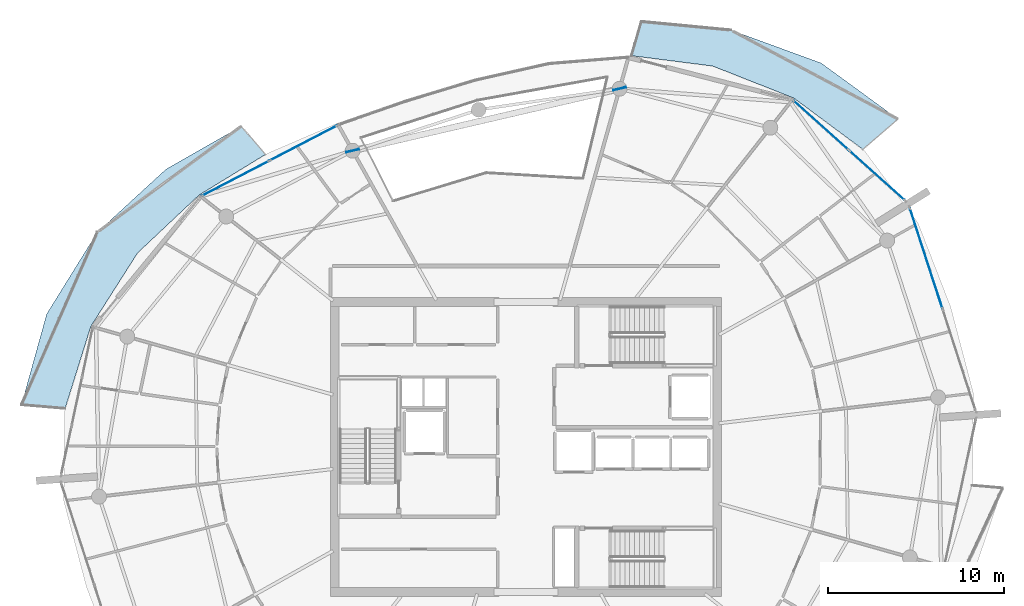
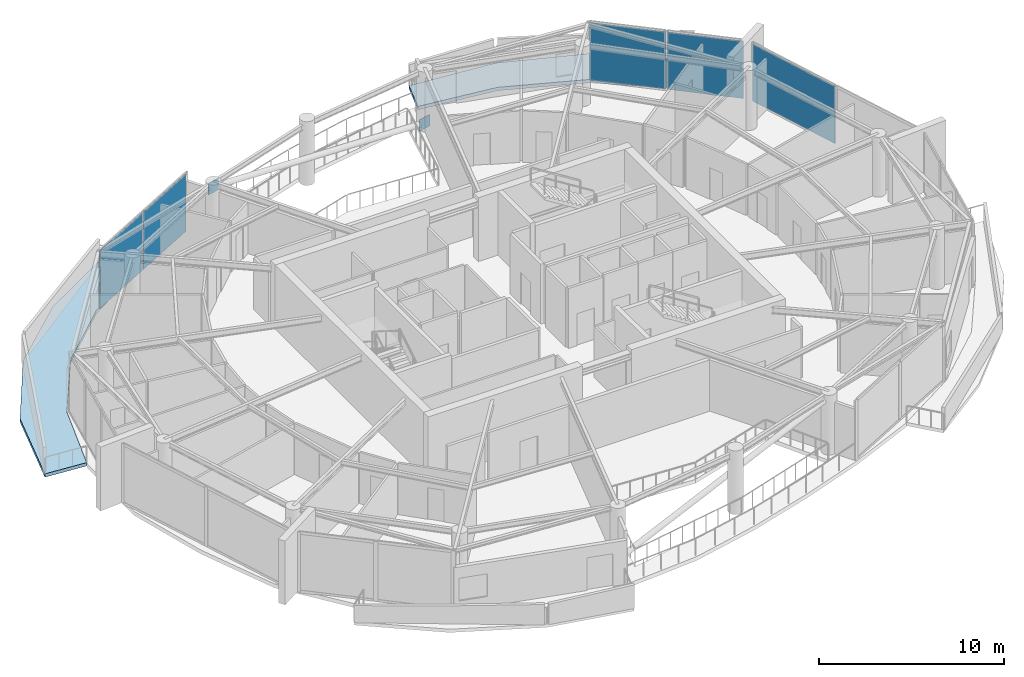
# One storey, part 12 of 22: 7 plates, 2 slabs, 3 elements without a shape of their own.
"""IFC4 building model written with IfcOpenShell, lengths in metres."""

from ifc_helpers import new_model, si_unit, direction, frame, origin, origin_2d, place, context, subcontext, project, spatial, polyline, rectangle, outline, extrude, material, layer, layer_set, type_object, element, aggregate, save


model = new_model("IFC4")

# Units and contexts
model_context = context("Model", 3, precision=1e-05, world=origin(), true_north=direction((0.0, 1.0)))
body_context = subcontext(model_context, "Body", "Model", "MODEL_VIEW")
ifc_project = project(units=[si_unit("LENGTHUNIT", "METRE"), si_unit("AREAUNIT", "SQUARE_METRE"), si_unit("VOLUMEUNIT", "CUBIC_METRE"), si_unit("PLANEANGLEUNIT", "RADIAN"), si_unit("MASSUNIT", "GRAM", prefix="KILO")], contexts=[model_context])

# Site, building, storey
site_placement = place(None, origin())
site = spatial("IfcSite", under=ifc_project, at=site_placement, CompositionType="ELEMENT")
building_placement = place(site_placement, origin())
building = spatial("IfcBuilding", under=site, at=building_placement, Name="Kazma Halo Residences", CompositionType="ELEMENT")
storey_placement = place(building_placement, frame((0.0, 0.0, 326.300048828125)))
storey = spatial("IfcBuildingStorey", under=building, at=storey_placement, Name="L82", CompositionType="ELEMENT", Elevation=326.300048828125)

# Curtain wall, plates
ifc_material_1 = material(Name="Aluminium AW-6063 T6 and Triple-Silver Low-E Glass", Category="aluminium")
ifc_layer_1 = layer(ifc_material_1, 0.239990234375)
ifc_layer_set_1 = layer_set([ifc_layer_1], Name="Aluminium AW-6063 T6 and Triple-Silver Low-E Glass")
curtain_wall_type = type_object("IfcCurtainWallType", Name="CW-SYS-6", PredefinedType="NOTDEFINED", material=ifc_layer_set_1)
curtain_wall_1_placement = place(storey_placement, origin())
curtain_wall_1 = element("IfcCurtainWall", 1, at=curtain_wall_1_placement, inside=storey, type_object=curtain_wall_type, Name="L82 unitised curtain wall B01", PredefinedType="NOTDEFINED")
ifc_material_2 = material(Name="Clear Triple-Silver Low-E Glass IGU", Category="glass")
ifc_layer_2 = layer(ifc_material_2, 0.035888671875)
ifc_layer_set_2 = layer_set([ifc_layer_2], Name="Clear Triple-Silver Low-E Glass IGU")
plate_type_1 = type_object("IfcPlateType", Name="CW-SYS-6-PNL", PredefinedType="CURTAIN_PANEL", material=ifc_layer_set_2)
plate_1_placement = place(storey_placement, frame((68.37646484375, 57.44189453125, 0.080078125), z_axis=(0.0, 0.0, 1.0), x_axis=(-0.744378829791, 0.667757559118, 0.0)))
plate_1 = element("IfcPlate", 2, at=plate_1_placement, type_object=plate_type_1, Name="CWS-6 panel 1.1", PredefinedType="CURTAIN_PANEL", context=body_context, shape_type="SweptSolid", body=[
    extrude(rectangle(XDim=4.19677734375, YDim=0.035888671875, at=origin_2d()), origin(), (0.0, 0.0, 1.0), 3.780029296875),
])
plate_2_placement = place(storey_placement, frame((65.19287109375, 60.297607421875, 0.080078125), z_axis=(0.0, 0.0, 1.0), x_axis=(-0.744378829791, 0.667757559118, 0.0)))
plate_2 = element("IfcPlate", 3, at=plate_2_placement, type_object=plate_type_1, Name="CWS-6 panel 2.1", PredefinedType="CURTAIN_PANEL", context=body_context, shape_type="SweptSolid", body=[
    extrude(rectangle(XDim=4.19677734375, YDim=0.035888671875, at=origin_2d()), origin(), (0.0, 0.0, 1.0), 3.780029296875),
])
aggregate(curtain_wall_1, [plate_1, plate_2])

curtain_wall_2_placement = place(storey_placement, origin())
curtain_wall_2 = element("IfcCurtainWall", 4, at=curtain_wall_2_placement, inside=storey, type_object=curtain_wall_type, Name="L82 unitised curtain wall B05", PredefinedType="NOTDEFINED")
plate_3_placement = place(storey_placement, frame((35.77197265625, 59.286865234375, 0.080078125), z_axis=(0.0, 0.0, 1.0), x_axis=(-0.887506071618, -0.460796020861, 0.0)))
plate_3 = element("IfcPlate", 5, at=plate_3_placement, type_object=plate_type_1, Name="CWS-6 panel 1.1", PredefinedType="CURTAIN_PANEL", context=body_context, shape_type="SweptSolid", body=[
    extrude(rectangle(XDim=4.28662109375, YDim=0.035888671875, at=origin_2d()), origin(), (0.0, 0.0, 1.0), 3.780029296875),
])
plate_4_placement = place(storey_placement, frame((31.896728515625, 57.274658203125, 0.080078125), z_axis=(0.0, 0.0, 1.0), x_axis=(-0.887506071618, -0.460796020861, 0.0)))
plate_4 = element("IfcPlate", 6, at=plate_4_placement, type_object=plate_type_1, Name="CWS-6 panel 2.1", PredefinedType="CURTAIN_PANEL", context=body_context, shape_type="SweptSolid", body=[
    extrude(rectangle(XDim=4.28662109375, YDim=0.035888671875, at=origin_2d()), origin(), (0.0, 0.0, 1.0), 3.780029296875),
])
aggregate(curtain_wall_2, [plate_3, plate_4])

# Curtain wall, plate
curtain_wall_3_placement = place(storey_placement, origin())
curtain_wall_3 = element("IfcCurtainWall", 7, at=curtain_wall_3_placement, inside=storey, type_object=curtain_wall_type, Name="L82 unitised curtain wall B16", PredefinedType="NOTDEFINED")
plate_5_placement = place(storey_placement, frame((71.18408203125, 52.7255859375, 0.080078125), z_axis=(0.0, 0.0, 1.0), x_axis=(-0.309018932797, 0.951055886462, 0.0)))
plate_5 = element("IfcPlate", 8, at=plate_5_placement, type_object=plate_type_1, Name="CWS-6 panel 2.1", PredefinedType="CURTAIN_PANEL", context=body_context, shape_type="SweptSolid", body=[
    extrude(rectangle(XDim=5.99267578125, YDim=0.035888671875, at=origin_2d()), origin(), (0.0, 0.0, 1.0), 3.780029296875),
])
aggregate(curtain_wall_3, [plate_5])

# Plates
ifc_material_3 = material(Name="Steel S355", Category="steel")
ifc_layer_3 = layer(ifc_material_3, 0.0400390625)
ifc_layer_set_3 = layer_set([ifc_layer_3], Name="Steel S355")
plate_type_2 = type_object("IfcPlateType", Name="PLT-GUSSET-40", PredefinedType="SHEET", material=ifc_layer_set_3)
for number, where, z_axis, x_axis, name in (
    (9, (53.74658203125, 62.37646484375, -0.074951171875), (0.0, 0.0, 1.0), (-0.974083647521, -0.226188080216, 0.0), "L82 wind-portal lower gusset NNW"),
    (10, (38.563232421875, 58.8505859375, 3.18505859375), (0.0, 0.0, 1.0), (-0.974083647521, -0.226188080216, 0.0), "L82 wind-portal upper gusset NNW"),
):
    element("IfcPlate", number, at=place(storey_placement, frame(where, z_axis=z_axis, x_axis=x_axis)), inside=storey, type_object=plate_type_2, Name=name, PredefinedType="SHEET", context=body_context, shape_type="SweptSolid", body=[
        extrude(rectangle(XDim=0.75, YDim=0.0400390625, at=origin_2d()), origin(), (0.0, 0.0, 1.0), 0.75),
    ])

# Slabs
ifc_material_4 = material(Name="White Concrete C50/60", Category="concrete")
ifc_layer_4 = layer(ifc_material_4, 0.219970703125)
ifc_layer_set_4 = layer_set([ifc_layer_4], Name="White Concrete C50/60")
slab_type = type_object("IfcSlabType", Name="SLB-BAL-WAVE-210", PredefinedType="FLOOR", material=ifc_layer_set_4)
slab_1_placement = place(storey_placement, frame((0.0, 0.0, -0.219970703125)))
element("IfcSlab", 11, at=slab_1_placement, inside=storey, type_object=slab_type, Name="L82 NE cantilevered wave balcony slab", PredefinedType="FLOOR", context=body_context, shape_type="SweptSolid", body=[
    extrude(outline(polyline([(67.578369140625, 58.929443359375), (63.64697265625, 61.847900390625), (59.038818359375, 63.664794921875), (54.42333984375, 64.254150390625), (54.98388671875, 66.196044921875), (60.08154296875, 65.71142578125), (65.21337890625, 63.835205078125), (69.5732421875, 60.654541015625), (67.578369140625, 58.929443359375)])), origin(), (0.0, 0.0, 1.0), 0.219970703125),
])
slab_2_placement = place(storey_placement, frame((0.0, 0.0, -0.219970703125)))
element("IfcSlab", 12, at=slab_2_placement, inside=storey, type_object=slab_type, Name="L82 NW cantilevered wave balcony slab", PredefinedType="FLOOR", context=body_context, shape_type="SweptSolid", body=[
    extrude(outline(polyline([(33.61181640625, 58.639404296875), (29.82763671875, 56.325927734375), (26.335205078125, 53.038818359375), (23.675048828125, 48.8603515625), (22.2099609375, 44.188232421875), (19.72705078125, 44.39892578125), (21.1650390625, 49.568359375), (24.037841796875, 54.20947265625), (27.953369140625, 57.803466796875), (32.2265625, 60.241455078125), (33.61181640625, 58.639404296875)])), origin(), (0.0, 0.0, 1.0), 0.219970703125),
])

save(model, "model.ifc")
